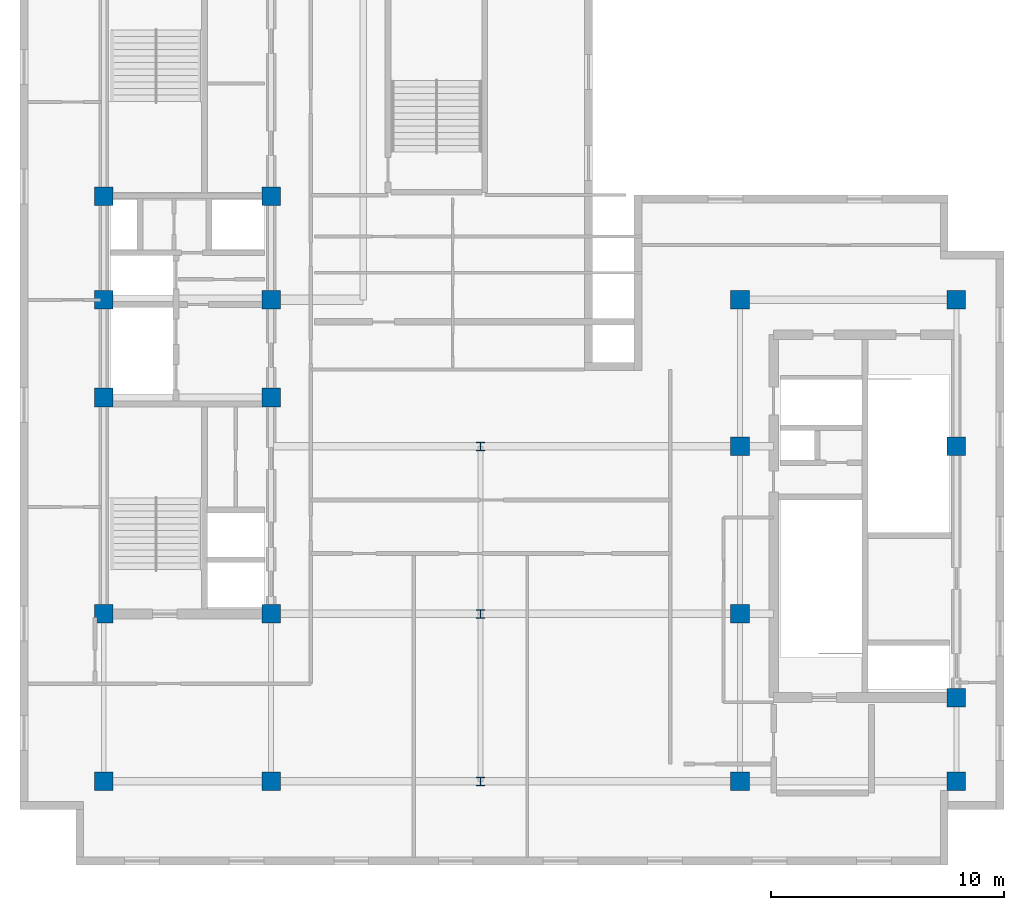
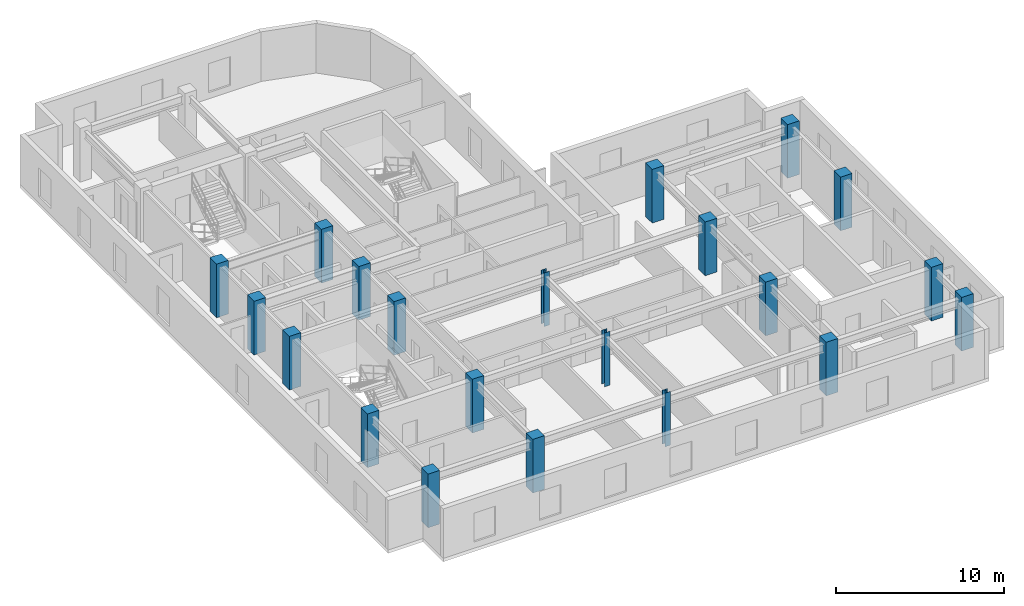
# One storey, part 1 of 10: 21 columns.
"""IFC4 building model written with IfcOpenShell, lengths in metres."""

from ifc_helpers import new_model, entity, si_unit, converted_unit, direction, frame, origin_with_axes, origin_2d_with_axis, place, context, subcontext, project, spatial, rectangle, i_section, extrude, material, material_profile, profile_set, type_object, element, save


model = new_model("IFC4")

# Units and contexts
model_context = context("Model", 3, precision=1e-05, world=origin_with_axes(), true_north=direction((0.0, 1.0)))
body_context = subcontext(model_context, "Body", "Model", "MODEL_VIEW")
ifc_project = project(units=[si_unit("LENGTHUNIT", "METRE"), si_unit("AREAUNIT", "SQUARE_METRE"), si_unit("VOLUMEUNIT", "CUBIC_METRE"), converted_unit("PLANEANGLEUNIT", "DEGREE", entity("IfcPlaneAngleMeasure", 0.017453292519943295), si_unit("PLANEANGLEUNIT", "RADIAN"), dimensions=[0, 0, 0, 0, 0, 0, 0]), si_unit("MASSUNIT", "GRAM", prefix="KILO"), si_unit("THERMODYNAMICTEMPERATUREUNIT", "KELVIN")], contexts=[model_context])

# Site, building, storey
site_placement = place(None, origin_with_axes())
site = spatial("IfcSite", under=ifc_project, at=site_placement, CompositionType="ELEMENT")
building_placement = place(site_placement, origin_with_axes())
building = spatial("IfcBuilding", under=site, at=building_placement, Name="Varnlund Millrace Tower", CompositionType="ELEMENT")
storey_placement = place(building_placement, frame((0.0, 0.0, 284.1), z_axis=(0.0, 0.0, 1.0), x_axis=(1.0, 0.0, 0.0)))
storey = spatial("IfcBuildingStorey", under=building, at=storey_placement, Name="L70", CompositionType="ELEMENT", Elevation=284.1)

# Columns
ifc_material_1 = material(Name="Steel ASTM A992 Grade 50", Category="steel")
ifc_material_profile_1 = material_profile(ifc_material_1, i_section(OverallWidth=0.369, OverallDepth=0.356, WebThickness=0.0112, FlangeThickness=0.018, FilletRadius=0.018, at=origin_2d_with_axis()), Name="Steel ASTM A992 Grade 50")
ifc_profile_set_1 = profile_set([ifc_material_profile_1], Name="Steel ASTM A992 Grade 50")
column_type_1 = type_object("IfcColumnType", Name="Type-Col-Int-W14X90", PredefinedType="COLUMN", material=ifc_profile_set_1)
for number, where, z_axis, x_axis, name in (
    (1, (27.6, 3.6, 0.0), (0.0, 0.0, 1.0), (1.0, 0.0, 0.0), "Type-Col-Int-W14X90"),
    (2, (27.6, 10.8, 0.0), (0.0, 0.0, 1.0), (1.0, 0.0, 0.0), "Type-Col-Int-W14X90"),
    (3, (27.6, 18.0, 0.0), (0.0, 0.0, 1.0), (1.0, 0.0, 0.0), "Type-Col-Int-W14X90"),
):
    element("IfcColumn", number, at=place(storey_placement, frame(where, z_axis=z_axis, x_axis=x_axis)), inside=storey, type_object=column_type_1, Name=name, PredefinedType="COLUMN", context=body_context, shape_type="SweptSolid", body=[
        extrude(i_section(OverallWidth=0.369, OverallDepth=0.356, WebThickness=0.0112, FlangeThickness=0.018, FilletRadius=0.018, at=origin_2d_with_axis()), origin_with_axes(), (0.0, 0.0, 1.0), 3.9),
    ])
ifc_material_2 = material(Name="Concrete C60/75", Category="concrete")
ifc_material_profile_2 = material_profile(ifc_material_2, rectangle(XDim=0.8, YDim=0.8, at=origin_2d_with_axis()), Name="Concrete C60/75")
ifc_profile_set_2 = profile_set([ifc_material_profile_2], Name="Concrete C60/75")
column_type_2 = type_object("IfcColumnType", Name="Type-Col-RC800-C60", PredefinedType="COLUMN", material=ifc_profile_set_2)
for number, where, z_axis, x_axis, name in (
    (4, (11.4, 3.6, 0.0), (0.0, 0.0, 1.0), (1.0, 0.0, 0.0), "Type-Col-RC800-C60"),
    (5, (11.4, 10.8, 0.0), (0.0, 0.0, 1.0), (1.0, 0.0, 0.0), "Type-Col-RC800-C60"),
    (6, (11.4, 20.1, 0.0), (0.0, 0.0, 1.0), (1.0, 0.0, 0.0), "Type-Col-RC800-C60"),
    (7, (11.4, 24.3, 0.0), (0.0, 0.0, 1.0), (1.0, 0.0, 0.0), "Type-Col-RC800-C60"),
    (8, (11.4, 28.75, 0.0), (0.0, 0.0, 1.0), (1.0, 0.0, 0.0), "Type-Col-RC800-C60"),
    (9, (18.6, 3.6, 0.0), (0.0, 0.0, 1.0), (1.0, 0.0, 0.0), "Type-Col-RC800-C60"),
    (10, (18.6, 10.8, 0.0), (0.0, 0.0, 1.0), (1.0, 0.0, 0.0), "Type-Col-RC800-C60"),
    (11, (18.6, 20.1, 0.0), (0.0, 0.0, 1.0), (1.0, 0.0, 0.0), "Type-Col-RC800-C60"),
    (12, (18.6, 24.3, 0.0), (0.0, 0.0, 1.0), (1.0, 0.0, 0.0), "Type-Col-RC800-C60"),
    (13, (18.6, 28.75, 0.0), (0.0, 0.0, 1.0), (1.0, 0.0, 0.0), "Type-Col-RC800-C60"),
    (14, (38.75, 3.6, 0.0), (0.0, 0.0, 1.0), (1.0, 0.0, 0.0), "Type-Col-RC800-C60"),
    (15, (38.75, 10.8, 0.0), (0.0, 0.0, 1.0), (1.0, 0.0, 0.0), "Type-Col-RC800-C60"),
    (16, (38.75, 18.0, 0.0), (0.0, 0.0, 1.0), (1.0, 0.0, 0.0), "Type-Col-RC800-C60"),
    (17, (38.75, 24.3, 0.0), (0.0, 0.0, 1.0), (1.0, 0.0, 0.0), "Type-Col-RC800-C60"),
    (18, (48.05, 3.6, 0.0), (0.0, 0.0, 1.0), (1.0, 0.0, 0.0), "Type-Col-RC800-C60"),
    (19, (48.05, 7.2, 0.0), (0.0, 0.0, 1.0), (1.0, 0.0, 0.0), "Type-Col-RC800-C60"),
    (20, (48.05, 18.0, 0.0), (0.0, 0.0, 1.0), (1.0, 0.0, 0.0), "Type-Col-RC800-C60"),
    (21, (48.05, 24.3, 0.0), (0.0, 0.0, 1.0), (1.0, 0.0, 0.0), "Type-Col-RC800-C60"),
):
    element("IfcColumn", number, at=place(storey_placement, frame(where, z_axis=z_axis, x_axis=x_axis)), inside=storey, type_object=column_type_2, Name=name, PredefinedType="COLUMN", context=body_context, shape_type="SweptSolid", body=[
        extrude(rectangle(XDim=0.8, YDim=0.8, at=origin_2d_with_axis()), origin_with_axes(), (0.0, 0.0, 1.0), 3.9),
    ])

save(model, "model.ifc")
